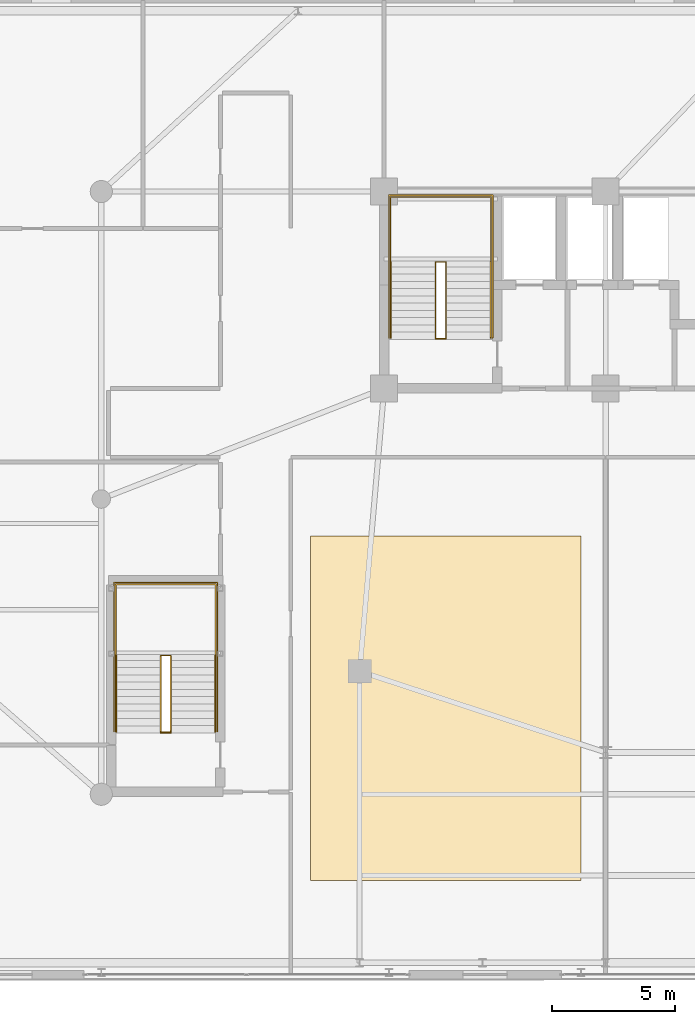
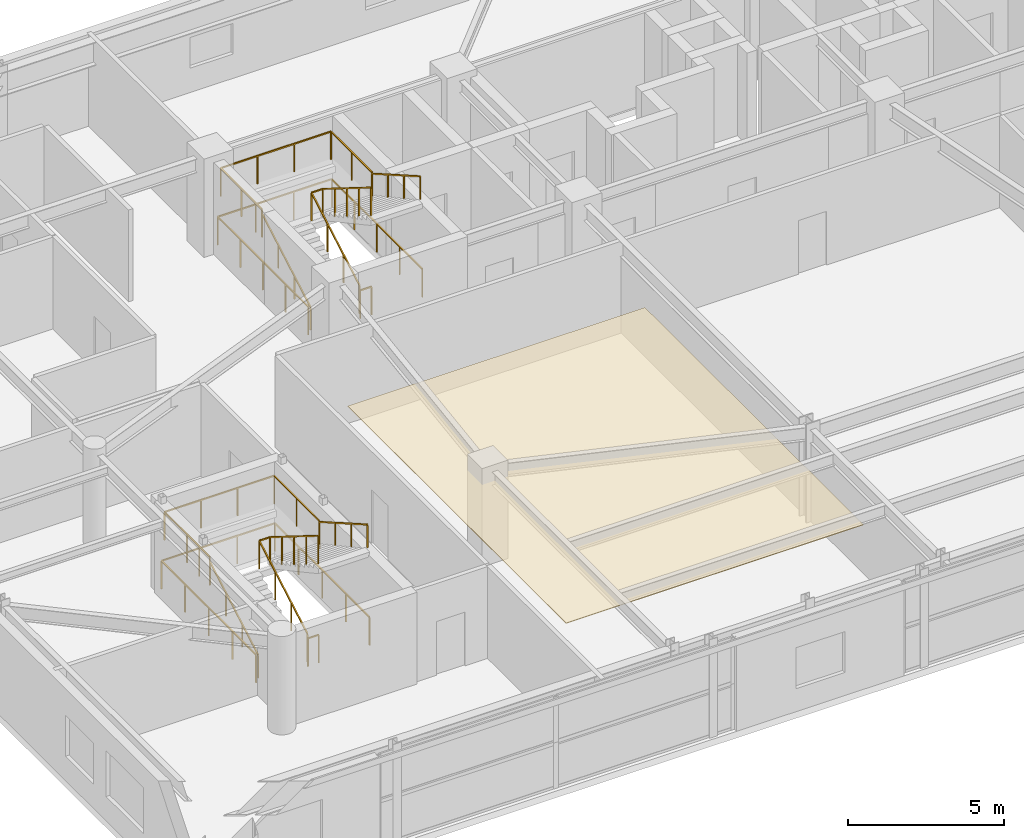
# One storey, part 24 of 26: 12 railings, 1 covering.
"""IFC4 building model written with IfcOpenShell, lengths in metres."""

from ifc_helpers import new_model, si_unit, direction, frame, origin, origin_2d, place, context, subcontext, project, spatial, rectangle, extrude, source, transform, mapped, material, layer, layer_set, type_object, element, save


model = new_model("IFC4")

# Units and contexts
model_context = context("Model", 3, precision=1e-05, world=origin(), true_north=direction((0.0, 1.0)))
body_context = subcontext(model_context, "Body", "Model", "MODEL_VIEW")
ifc_project = project(units=[si_unit("LENGTHUNIT", "METRE"), si_unit("AREAUNIT", "SQUARE_METRE"), si_unit("VOLUMEUNIT", "CUBIC_METRE"), si_unit("PLANEANGLEUNIT", "RADIAN"), si_unit("MASSUNIT", "GRAM", prefix="KILO")], contexts=[model_context])

# Site, building, storey
site_placement = place(None, origin())
site = spatial("IfcSite", under=ifc_project, at=site_placement, CompositionType="ELEMENT")
building_placement = place(site_placement, origin())
building = spatial("IfcBuilding", under=site, at=building_placement, Name="Taldren Reach Tower", CompositionType="ELEMENT")
storey_placement = place(building_placement, frame((0.0, 0.0, 4.550048828125)))
storey = spatial("IfcBuildingStorey", under=building, at=storey_placement, Name="L01", CompositionType="ELEMENT", Elevation=4.550048828125)

# Railings
ifc_material_1 = material(Name="Steel Gr 350 (C350L0)", Category="steel")
ifc_layer_1 = layer(ifc_material_1, 0.050048828125)
ifc_layer_set_1 = layer_set([ifc_layer_1], Name="Steel Gr 350 (C350L0)")
railing_type_1 = type_object("IfcRailingType", Name="RL-STAIR-GR", PredefinedType="GUARDRAIL", material=ifc_layer_set_1)
railing_1_placement = place(storey_placement, frame((19.260009765625, 29.135009765625, 1.925048828125)))
element("IfcRailing", 1, at=railing_1_placement, inside=storey, type_object=railing_type_1, Name="Stair half-landing perimeter guard ST1-L01", PredefinedType="GUARDRAIL", context=body_context, shape_type="SweptSolid", body=[
    extrude(rectangle(XDim=0.047852, YDim=0.047852, at=origin_2d()), frame((0.0, 0.0, 1.09619140625), z_axis=(0.0, 1.0, 0.0), x_axis=(-1.0, 0.0, 0.0)), (0.0, 0.0, 1.0), 2.64501953125),
    extrude(rectangle(XDim=0.047852, YDim=0.047852, at=origin_2d()), frame((0.0, 2.64501953125, 1.09619140625), z_axis=(1.0, 0.0, 0.0), x_axis=(0.0, 1.0, 0.0)), (0.0, 0.0, 1.0), 4.080078125),
    extrude(rectangle(XDim=0.047852, YDim=0.047852, at=origin_2d()), frame((4.080078125, 2.64501953125, 1.09619140625), z_axis=(0.0, -1.0, 0.0), x_axis=(1.0, 0.0, 0.0)), (0.0, 0.0, 1.0), 2.64501953125),
    extrude(rectangle(XDim=0.041992, YDim=0.041992, at=origin_2d()), origin(), (0.0, 0.0, 1.0), 1.072021484375),
    extrude(rectangle(XDim=0.041992, YDim=0.041992, at=origin_2d()), frame((0.0, 1.322509765625, 0.0)), (0.0, 0.0, 1.0), 1.072021484375),
    extrude(rectangle(XDim=0.041992, YDim=0.041992, at=origin_2d()), frame((0.0, 2.64501953125, 0.0)), (0.0, 0.0, 1.0), 1.072021484375),
    extrude(rectangle(XDim=0.041992, YDim=0.041992, at=origin_2d()), frame((1.360107421875, 2.64501953125, 0.0)), (0.0, 0.0, 1.0), 1.072021484375),
    extrude(rectangle(XDim=0.041992, YDim=0.041992, at=origin_2d()), frame((2.719970703125, 2.64501953125, 0.0)), (0.0, 0.0, 1.0), 1.072021484375),
    extrude(rectangle(XDim=0.041992, YDim=0.041992, at=origin_2d()), frame((4.080078125, 2.64501953125, 0.0)), (0.0, 0.0, 1.0), 1.072021484375),
    extrude(rectangle(XDim=0.041992, YDim=0.041992, at=origin_2d()), frame((4.080078125, 1.322509765625, 0.0)), (0.0, 0.0, 1.0), 1.072021484375),
    extrude(rectangle(XDim=0.041992, YDim=0.041992, at=origin_2d()), frame((4.080078125, 0.0, 0.0)), (0.0, 0.0, 1.0), 1.072021484375),
])
railing_2_placement = place(storey_placement, frame((21.090087890625, 26.050048828125, 0.160400390625)))
element("IfcRailing", 2, at=railing_2_placement, inside=storey, type_object=railing_type_1, Name="Stairwell inner guard ST1-L01", PredefinedType="GUARDRAIL", context=body_context, shape_type="SweptSolid", body=[
    extrude(rectangle(XDim=0.047852, YDim=0.047852, at=origin_2d()), frame((0.0, 0.0, 1.09619140625), z_axis=(0.0, 0.868023234622, 0.496523578652), x_axis=(-1.0, 0.0, 0.0)), (0.0, 0.0, 1.0), 3.553955078125),
    extrude(rectangle(XDim=0.047852, YDim=0.047852, at=origin_2d()), frame((0.0, 3.0849609375, 2.86083984375), z_axis=(1.0, 0.0, 0.0), x_axis=(0.0, 1.0, 0.0)), (0.0, 0.0, 1.0), 0.419921875),
    extrude(rectangle(XDim=0.047852, YDim=0.047852, at=origin_2d()), frame((0.419921875, 3.0849609375, 2.86083984375), z_axis=(0.0, -0.848405431508, 0.529346978633), x_axis=(1.0, 0.0, 0.0)), (0.0, 0.0, 1.0), 3.63623046875),
    extrude(rectangle(XDim=0.041992, YDim=0.041992, at=origin_2d()), origin(), (0.0, 0.0, 1.0), 1.072021484375),
    extrude(rectangle(XDim=0.041992, YDim=0.041992, at=origin_2d()), frame((0.0, 1.0283203125, 0.588134765625)), (0.0, 0.0, 1.0), 1.072021484375),
    extrude(rectangle(XDim=0.041992, YDim=0.041992, at=origin_2d()), frame((0.0, 2.056640625, 1.176513671875)), (0.0, 0.0, 1.0), 1.072021484375),
    extrude(rectangle(XDim=0.041992, YDim=0.041992, at=origin_2d()), frame((0.0, 3.0849609375, 1.7646484375)), (0.0, 0.0, 1.0), 1.072021484375),
    extrude(rectangle(XDim=0.041992, YDim=0.041992, at=origin_2d()), frame((0.419921875, 3.0849609375, 1.7646484375)), (0.0, 0.0, 1.0), 1.072021484375),
    extrude(rectangle(XDim=0.041992, YDim=0.041992, at=origin_2d()), frame((0.419921875, 2.313720703125, 2.245849609375)), (0.0, 0.0, 1.0), 1.072021484375),
    extrude(rectangle(XDim=0.041992, YDim=0.041992, at=origin_2d()), frame((0.419921875, 1.54248046875, 2.72705078125)), (0.0, 0.0, 1.0), 1.072021484375),
    extrude(rectangle(XDim=0.041992, YDim=0.041992, at=origin_2d()), frame((0.419921875, 0.771240234375, 3.208251953125)), (0.0, 0.0, 1.0), 1.072021484375),
    extrude(rectangle(XDim=0.041992, YDim=0.041992, at=origin_2d()), frame((0.419921875, 0.0, 3.689453125)), (0.0, 0.0, 1.0), 1.072021484375),
])
railing_3_placement = place(storey_placement, frame((21.090087890625, 26.010009765625, 0.0)))
element("IfcRailing", 3, at=railing_3_placement, inside=storey, type_object=railing_type_1, Name="Stairwell landing slot guard ST1-L01", PredefinedType="GUARDRAIL", context=body_context, shape_type="SweptSolid", body=[
    extrude(rectangle(XDim=0.047852, YDim=0.047852, at=origin_2d()), frame((0.0, 0.0, 1.09619140625), z_axis=(1.0, 0.0, 0.0), x_axis=(0.0, 1.0, 0.0)), (0.0, 0.0, 1.0), 0.419921875),
    extrude(rectangle(XDim=0.041992, YDim=0.041992, at=origin_2d()), origin(), (0.0, 0.0, 1.0), 1.072021484375),
    extrude(rectangle(XDim=0.041992, YDim=0.041992, at=origin_2d()), frame((0.419921875, 0.0, 0.0)), (0.0, 0.0, 1.0), 1.072021484375),
])
railing_4_placement = place(storey_placement, frame((19.18994140625, 26.050048828125, 0.0)))
element("IfcRailing", 4, at=railing_4_placement, inside=storey, type_object=railing_type_1, Name="Stairwell floor opening guard ST1-L01", PredefinedType="GUARDRAIL", context=body_context, shape_type="SweptSolid", body=[
    extrude(rectangle(XDim=0.047852, YDim=0.047852, at=origin_2d()), frame((0.0, 0.0, 1.09619140625), z_axis=(0.0, 1.0, 0.0), x_axis=(-1.0, 0.0, 0.0)), (0.0, 0.0, 1.0), 5.800048828125),
    extrude(rectangle(XDim=0.047852, YDim=0.047852, at=origin_2d()), frame((0.0, 5.800048828125, 1.09619140625), z_axis=(1.0, 0.0, 0.0), x_axis=(0.0, 1.0, 0.0)), (0.0, 0.0, 1.0), 4.219970703125),
    extrude(rectangle(XDim=0.047852, YDim=0.047852, at=origin_2d()), frame((4.219970703125, 5.800048828125, 1.09619140625), z_axis=(0.0, -1.0, 0.0), x_axis=(1.0, 0.0, 0.0)), (0.0, 0.0, 1.0), 5.800048828125),
    extrude(rectangle(XDim=0.041992, YDim=0.041992, at=origin_2d()), origin(), (0.0, 0.0, 1.0), 1.072021484375),
    extrude(rectangle(XDim=0.041992, YDim=0.041992, at=origin_2d()), frame((0.0, 1.449951171875, 0.0)), (0.0, 0.0, 1.0), 1.072021484375),
    extrude(rectangle(XDim=0.041992, YDim=0.041992, at=origin_2d()), frame((0.0, 2.89990234375, 0.0)), (0.0, 0.0, 1.0), 1.072021484375),
    extrude(rectangle(XDim=0.041992, YDim=0.041992, at=origin_2d()), frame((0.0, 4.35009765625, 0.0)), (0.0, 0.0, 1.0), 1.072021484375),
    extrude(rectangle(XDim=0.041992, YDim=0.041992, at=origin_2d()), frame((0.0, 5.800048828125, 0.0)), (0.0, 0.0, 1.0), 1.072021484375),
    extrude(rectangle(XDim=0.041992, YDim=0.041992, at=origin_2d()), frame((1.40673828125, 5.800048828125, 0.0)), (0.0, 0.0, 1.0), 1.072021484375),
    extrude(rectangle(XDim=0.041992, YDim=0.041992, at=origin_2d()), frame((2.813232421875, 5.800048828125, 0.0)), (0.0, 0.0, 1.0), 1.072021484375),
    extrude(rectangle(XDim=0.041992, YDim=0.041992, at=origin_2d()), frame((4.219970703125, 5.800048828125, 0.0)), (0.0, 0.0, 1.0), 1.072021484375),
    extrude(rectangle(XDim=0.041992, YDim=0.041992, at=origin_2d()), frame((4.219970703125, 4.35009765625, 0.0)), (0.0, 0.0, 1.0), 1.072021484375),
    extrude(rectangle(XDim=0.041992, YDim=0.041992, at=origin_2d()), frame((4.219970703125, 2.89990234375, 0.0)), (0.0, 0.0, 1.0), 1.072021484375),
    extrude(rectangle(XDim=0.041992, YDim=0.041992, at=origin_2d()), frame((4.219970703125, 1.449951171875, 0.0)), (0.0, 0.0, 1.0), 1.072021484375),
    extrude(rectangle(XDim=0.041992, YDim=0.041992, at=origin_2d()), frame((4.219970703125, 0.0, 0.0)), (0.0, 0.0, 1.0), 1.072021484375),
])
railing_5_placement = place(storey_placement, frame((8.090087890625, 13.135009765625, 1.925048828125)))
element("IfcRailing", 5, at=railing_5_placement, inside=storey, type_object=railing_type_1, Name="Stair half-landing perimeter guard ST3-L01", PredefinedType="GUARDRAIL", context=body_context, shape_type="SweptSolid", body=[
    extrude(rectangle(XDim=0.047852, YDim=0.047852, at=origin_2d()), frame((0.0, 0.0, 1.09619140625), z_axis=(0.0, 1.0, 0.0), x_axis=(-1.0, 0.0, 0.0)), (0.0, 0.0, 1.0), 2.905029296875),
    extrude(rectangle(XDim=0.047852, YDim=0.047852, at=origin_2d()), frame((0.0, 2.905029296875, 1.09619140625), z_axis=(1.0, 0.0, 0.0), x_axis=(0.0, 1.0, 0.0)), (0.0, 0.0, 1.0), 4.059814453125),
    extrude(rectangle(XDim=0.047852, YDim=0.047852, at=origin_2d()), frame((4.059814453125, 2.905029296875, 1.09619140625), z_axis=(0.0, -1.0, 0.0), x_axis=(1.0, 0.0, 0.0)), (0.0, 0.0, 1.0), 2.905029296875),
    extrude(rectangle(XDim=0.041992, YDim=0.041992, at=origin_2d()), origin(), (0.0, 0.0, 1.0), 1.072021484375),
    extrude(rectangle(XDim=0.041992, YDim=0.041992, at=origin_2d()), frame((0.0, 1.45263671875, 0.0)), (0.0, 0.0, 1.0), 1.072021484375),
    extrude(rectangle(XDim=0.041992, YDim=0.041992, at=origin_2d()), frame((0.0, 2.905029296875, 0.0)), (0.0, 0.0, 1.0), 1.072021484375),
    extrude(rectangle(XDim=0.041992, YDim=0.041992, at=origin_2d()), frame((1.353271484375, 2.905029296875, 0.0)), (0.0, 0.0, 1.0), 1.072021484375),
    extrude(rectangle(XDim=0.041992, YDim=0.041992, at=origin_2d()), frame((2.70654296875, 2.905029296875, 0.0)), (0.0, 0.0, 1.0), 1.072021484375),
    extrude(rectangle(XDim=0.041992, YDim=0.041992, at=origin_2d()), frame((4.059814453125, 2.905029296875, 0.0)), (0.0, 0.0, 1.0), 1.072021484375),
    extrude(rectangle(XDim=0.041992, YDim=0.041992, at=origin_2d()), frame((4.059814453125, 1.45263671875, 0.0)), (0.0, 0.0, 1.0), 1.072021484375),
    extrude(rectangle(XDim=0.041992, YDim=0.041992, at=origin_2d()), frame((4.059814453125, 0.0, 0.0)), (0.0, 0.0, 1.0), 1.072021484375),
])
railing_6_placement = place(storey_placement, frame((9.919921875, 10.050048828125, 0.160400390625)))
element("IfcRailing", 6, at=railing_6_placement, inside=storey, type_object=railing_type_1, Name="Stairwell inner guard ST3-L01", PredefinedType="GUARDRAIL", context=body_context, shape_type="SweptSolid", body=[
    extrude(rectangle(XDim=0.047852, YDim=0.047852, at=origin_2d()), frame((0.0, 0.0, 1.09619140625), z_axis=(0.0, 0.868023234622, 0.496523578652), x_axis=(-1.0, 0.0, 0.0)), (0.0, 0.0, 1.0), 3.553955078125),
    extrude(rectangle(XDim=0.047852, YDim=0.047852, at=origin_2d()), frame((0.0, 3.0849609375, 2.86083984375), z_axis=(1.0, 0.0, 0.0), x_axis=(0.0, 1.0, 0.0)), (0.0, 0.0, 1.0), 0.400146484375),
    extrude(rectangle(XDim=0.047852, YDim=0.047852, at=origin_2d()), frame((0.400146484375, 3.0849609375, 2.86083984375), z_axis=(0.0, -0.848405431508, 0.529346978633), x_axis=(1.0, 0.0, 0.0)), (0.0, 0.0, 1.0), 3.63623046875),
    extrude(rectangle(XDim=0.041992, YDim=0.041992, at=origin_2d()), origin(), (0.0, 0.0, 1.0), 1.072021484375),
    extrude(rectangle(XDim=0.041992, YDim=0.041992, at=origin_2d()), frame((0.0, 1.0283203125, 0.588134765625)), (0.0, 0.0, 1.0), 1.072021484375),
    extrude(rectangle(XDim=0.041992, YDim=0.041992, at=origin_2d()), frame((0.0, 2.056640625, 1.176513671875)), (0.0, 0.0, 1.0), 1.072021484375),
    extrude(rectangle(XDim=0.041992, YDim=0.041992, at=origin_2d()), frame((0.0, 3.0849609375, 1.7646484375)), (0.0, 0.0, 1.0), 1.072021484375),
    extrude(rectangle(XDim=0.041992, YDim=0.041992, at=origin_2d()), frame((0.400146484375, 3.0849609375, 1.7646484375)), (0.0, 0.0, 1.0), 1.072021484375),
    extrude(rectangle(XDim=0.041992, YDim=0.041992, at=origin_2d()), frame((0.400146484375, 2.313720703125, 2.245849609375)), (0.0, 0.0, 1.0), 1.072021484375),
    extrude(rectangle(XDim=0.041992, YDim=0.041992, at=origin_2d()), frame((0.400146484375, 1.54248046875, 2.72705078125)), (0.0, 0.0, 1.0), 1.072021484375),
    extrude(rectangle(XDim=0.041992, YDim=0.041992, at=origin_2d()), frame((0.400146484375, 0.771240234375, 3.208251953125)), (0.0, 0.0, 1.0), 1.072021484375),
    extrude(rectangle(XDim=0.041992, YDim=0.041992, at=origin_2d()), frame((0.400146484375, 0.0, 3.689453125)), (0.0, 0.0, 1.0), 1.072021484375),
])
railing_7_placement = place(storey_placement, frame((9.919921875, 10.010009765625, 0.0)))
element("IfcRailing", 7, at=railing_7_placement, inside=storey, type_object=railing_type_1, Name="Stairwell landing slot guard ST3-L01", PredefinedType="GUARDRAIL", context=body_context, shape_type="SweptSolid", body=[
    extrude(rectangle(XDim=0.047852, YDim=0.047852, at=origin_2d()), frame((0.0, 0.0, 1.09619140625), z_axis=(1.0, 0.0, 0.0), x_axis=(0.0, 1.0, 0.0)), (0.0, 0.0, 1.0), 0.400146484375),
    extrude(rectangle(XDim=0.041992, YDim=0.041992, at=origin_2d()), origin(), (0.0, 0.0, 1.0), 1.072021484375),
    extrude(rectangle(XDim=0.041992, YDim=0.041992, at=origin_2d()), frame((0.400146484375, 0.0, 0.0)), (0.0, 0.0, 1.0), 1.072021484375),
])
railing_8_placement = place(storey_placement, frame((8.02001953125, 10.050048828125, 0.0)))
element("IfcRailing", 8, at=railing_8_placement, inside=storey, type_object=railing_type_1, Name="Stairwell floor opening guard ST3-L01", PredefinedType="GUARDRAIL", context=body_context, shape_type="SweptSolid", body=[
    extrude(rectangle(XDim=0.047852, YDim=0.047852, at=origin_2d()), frame((0.0, 0.0, 1.09619140625), z_axis=(0.0, 1.0, 0.0), x_axis=(-1.0, 0.0, 0.0)), (0.0, 0.0, 1.0), 6.06005859375),
    extrude(rectangle(XDim=0.047852, YDim=0.047852, at=origin_2d()), frame((0.0, 6.06005859375, 1.09619140625), z_axis=(1.0, 0.0, 0.0), x_axis=(0.0, 1.0, 0.0)), (0.0, 0.0, 1.0), 4.199951171875),
    extrude(rectangle(XDim=0.047852, YDim=0.047852, at=origin_2d()), frame((4.199951171875, 6.06005859375, 1.09619140625), z_axis=(0.0, -1.0, 0.0), x_axis=(1.0, 0.0, 0.0)), (0.0, 0.0, 1.0), 6.06005859375),
    extrude(rectangle(XDim=0.041992, YDim=0.041992, at=origin_2d()), origin(), (0.0, 0.0, 1.0), 1.072021484375),
    extrude(rectangle(XDim=0.041992, YDim=0.041992, at=origin_2d()), frame((0.0, 1.51513671875, 0.0)), (0.0, 0.0, 1.0), 1.072021484375),
    extrude(rectangle(XDim=0.041992, YDim=0.041992, at=origin_2d()), frame((0.0, 3.030029296875, 0.0)), (0.0, 0.0, 1.0), 1.072021484375),
    extrude(rectangle(XDim=0.041992, YDim=0.041992, at=origin_2d()), frame((0.0, 4.544921875, 0.0)), (0.0, 0.0, 1.0), 1.072021484375),
    extrude(rectangle(XDim=0.041992, YDim=0.041992, at=origin_2d()), frame((0.0, 6.06005859375, 0.0)), (0.0, 0.0, 1.0), 1.072021484375),
    extrude(rectangle(XDim=0.041992, YDim=0.041992, at=origin_2d()), frame((1.39990234375, 6.06005859375, 0.0)), (0.0, 0.0, 1.0), 1.072021484375),
    extrude(rectangle(XDim=0.041992, YDim=0.041992, at=origin_2d()), frame((2.800048828125, 6.06005859375, 0.0)), (0.0, 0.0, 1.0), 1.072021484375),
    extrude(rectangle(XDim=0.041992, YDim=0.041992, at=origin_2d()), frame((4.199951171875, 6.06005859375, 0.0)), (0.0, 0.0, 1.0), 1.072021484375),
    extrude(rectangle(XDim=0.041992, YDim=0.041992, at=origin_2d()), frame((4.199951171875, 4.544921875, 0.0)), (0.0, 0.0, 1.0), 1.072021484375),
    extrude(rectangle(XDim=0.041992, YDim=0.041992, at=origin_2d()), frame((4.199951171875, 3.030029296875, 0.0)), (0.0, 0.0, 1.0), 1.072021484375),
    extrude(rectangle(XDim=0.041992, YDim=0.041992, at=origin_2d()), frame((4.199951171875, 1.51513671875, 0.0)), (0.0, 0.0, 1.0), 1.072021484375),
    extrude(rectangle(XDim=0.041992, YDim=0.041992, at=origin_2d()), frame((4.199951171875, 0.0, 0.0)), (0.0, 0.0, 1.0), 1.072021484375),
])
ifc_material_2 = material(Name="Stainless Steel Gr 316", Category="steel")
ifc_layer_2 = layer(ifc_material_2, 0.048095703125)
ifc_layer_set_2 = layer_set([ifc_layer_2], Name="Stainless Steel Gr 316")
railing_type_2 = type_object("IfcRailingType", Name="RL-STAIR-HR", PredefinedType="HANDRAIL", material=ifc_layer_set_2)
railing_9_placement = place(storey_placement, frame((19.27001953125, 26.050048828125, 0.160400390625)))
element("IfcRailing", 9, at=railing_9_placement, inside=storey, type_object=railing_type_2, Name="Stair flight handrail ST1-L01-1", PredefinedType="HANDRAIL", context=body_context, shape_type="SweptSolid", body=[
    extrude(rectangle(XDim=0.047852, YDim=0.047852, at=origin_2d()), frame((0.0, 0.0, 0.89599609375), z_axis=(0.0, 0.868023234622, 0.496523578652), x_axis=(-1.0, 0.0, 0.0)), (0.0, 0.0, 1.0), 3.553955078125),
    extrude(rectangle(XDim=0.041992, YDim=0.041992, at=origin_2d()), origin(), (0.0, 0.0, 1.0), 0.871826171875),
    extrude(rectangle(XDim=0.041992, YDim=0.041992, at=origin_2d()), frame((0.0, 1.0283203125, 0.588134765625)), (0.0, 0.0, 1.0), 0.871826171875),
    extrude(rectangle(XDim=0.041992, YDim=0.041992, at=origin_2d()), frame((0.0, 2.056640625, 1.176513671875)), (0.0, 0.0, 1.0), 0.871826171875),
    extrude(rectangle(XDim=0.041992, YDim=0.041992, at=origin_2d()), frame((0.0, 3.0849609375, 1.7646484375)), (0.0, 0.0, 1.0), 0.871826171875),
])
railing_10_placement = place(storey_placement, frame((23.330078125, 29.135009765625, 2.08544921875)))
element("IfcRailing", 10, at=railing_10_placement, inside=storey, type_object=railing_type_2, Name="Stair flight handrail ST1-L01-2", PredefinedType="HANDRAIL", context=body_context, shape_type="SweptSolid", body=[
    extrude(rectangle(XDim=0.047852, YDim=0.047852, at=origin_2d()), frame((0.0, 0.0, 0.89599609375), z_axis=(0.0, -0.86805284099, 0.496471817176), x_axis=(1.0, 0.0, 0.0)), (0.0, 0.0, 1.0), 3.553955078125),
    extrude(rectangle(XDim=0.041992, YDim=0.041992, at=origin_2d()), origin(), (0.0, 0.0, 1.0), 0.871826171875),
    extrude(rectangle(XDim=0.041992, YDim=0.041992, at=origin_2d()), frame((0.0, -1.0283203125, 0.588134765625)), (0.0, 0.0, 1.0), 0.871826171875),
    extrude(rectangle(XDim=0.041992, YDim=0.041992, at=origin_2d()), frame((0.0, -2.056640625, 1.17626953125)), (0.0, 0.0, 1.0), 0.871826171875),
    extrude(rectangle(XDim=0.041992, YDim=0.041992, at=origin_2d()), frame((0.0, -3.0849609375, 1.764404296875)), (0.0, 0.0, 1.0), 0.871826171875),
])
railing_11_placement = place(storey_placement, frame((8.10009765625, 10.050048828125, 0.160400390625)))
element("IfcRailing", 11, at=railing_11_placement, inside=storey, type_object=railing_type_2, Name="Stair flight handrail ST3-L01-1", PredefinedType="HANDRAIL", context=body_context, shape_type="SweptSolid", body=[
    extrude(rectangle(XDim=0.047852, YDim=0.047852, at=origin_2d()), frame((0.0, 0.0, 0.89599609375), z_axis=(0.0, 0.868023234622, 0.496523578652), x_axis=(-1.0, 0.0, 0.0)), (0.0, 0.0, 1.0), 3.553955078125),
    extrude(rectangle(XDim=0.041992, YDim=0.041992, at=origin_2d()), origin(), (0.0, 0.0, 1.0), 0.871826171875),
    extrude(rectangle(XDim=0.041992, YDim=0.041992, at=origin_2d()), frame((0.0, 1.0283203125, 0.588134765625)), (0.0, 0.0, 1.0), 0.871826171875),
    extrude(rectangle(XDim=0.041992, YDim=0.041992, at=origin_2d()), frame((0.0, 2.056640625, 1.176513671875)), (0.0, 0.0, 1.0), 0.871826171875),
    extrude(rectangle(XDim=0.041992, YDim=0.041992, at=origin_2d()), frame((0.0, 3.0849609375, 1.7646484375)), (0.0, 0.0, 1.0), 0.871826171875),
])
railing_12_placement = place(storey_placement, frame((12.139892578125, 13.135009765625, 2.08544921875)))
element("IfcRailing", 12, at=railing_12_placement, inside=storey, type_object=railing_type_2, Name="Stair flight handrail ST3-L01-2", PredefinedType="HANDRAIL", context=body_context, shape_type="SweptSolid", body=[
    extrude(rectangle(XDim=0.047852, YDim=0.047852, at=origin_2d()), frame((0.0, 0.0, 0.89599609375), z_axis=(0.0, -0.86805284099, 0.496471817176), x_axis=(1.0, 0.0, 0.0)), (0.0, 0.0, 1.0), 3.553955078125),
    extrude(rectangle(XDim=0.041992, YDim=0.041992, at=origin_2d()), origin(), (0.0, 0.0, 1.0), 0.871826171875),
    extrude(rectangle(XDim=0.041992, YDim=0.041992, at=origin_2d()), frame((0.0, -1.0283203125, 0.588134765625)), (0.0, 0.0, 1.0), 0.871826171875),
    extrude(rectangle(XDim=0.041992, YDim=0.041992, at=origin_2d()), frame((0.0, -2.056640625, 1.17626953125)), (0.0, 0.0, 1.0), 0.871826171875),
    extrude(rectangle(XDim=0.041992, YDim=0.041992, at=origin_2d()), frame((0.0, -3.0849609375, 1.764404296875)), (0.0, 0.0, 1.0), 0.871826171875),
])

# Covering
ifc_material_3 = material(Name="Perforated Acoustic Mineral-Fibre Ceiling Tile")
ifc_layer_3 = layer(ifc_material_3, 0.02490234375)
ifc_layer_set_3 = layer_set([ifc_layer_3], Name="Perforated Acoustic Mineral-Fibre Ceiling Tile")
covering_type = type_object("IfcCoveringType", Name="CV-CEIL-025", PredefinedType="CEILING", material=ifc_layer_set_3)
shared_shape = source(origin(), body_context, "Body", "SweptSolid", [
    extrude(rectangle(XDim=11.0, YDim=14.0, at=origin_2d()), origin(), (0.0, 0.0, 1.0), 0.02490234375),
])
covering_placement = place(storey_placement, frame((21.5, 11.0, 3.1875), z_axis=(0.0, 0.0, 1.0), x_axis=(1.0, 0.0, 0.0)))
element("IfcCovering", 13, at=covering_placement, inside=storey, type_object=covering_type, Name="Suspended acoustic ceiling L01-03", PredefinedType="CEILING", context=body_context, shape_type="MappedRepresentation", body=[
    mapped(shared_shape, transform((0.0, 0.0, 0.0), scale=1.0)),
])

save(model, "model.ifc")
